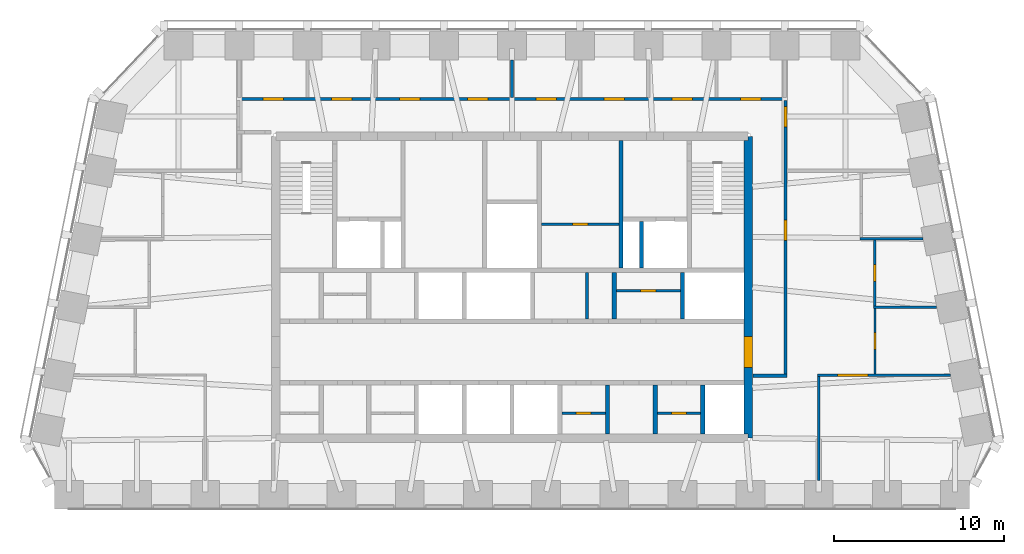
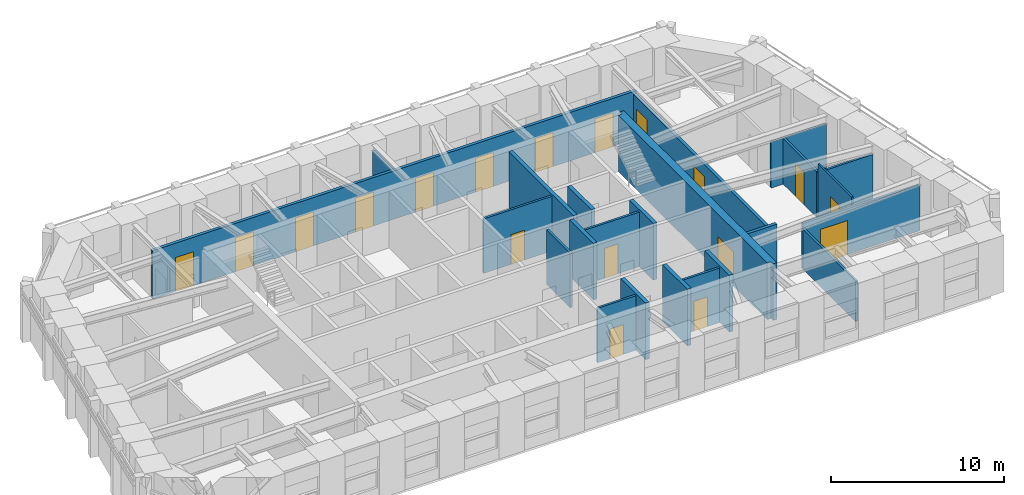
# One storey, part 6 of 9: 23 walls, 18 doors, 18 openings.
"""IFC4 building model written with IfcOpenShell, lengths in metres."""

from ifc_helpers import new_model, si_unit, direction, frame, frame_2d, origin, place, context, subcontext, project, spatial, polyline, rectangle, outline, extrude, material, layer, layer_set, type_object, element, fill, save


model = new_model("IFC4")

# Units and contexts
model_context = context("Model", 3, precision=1e-05, world=origin(), true_north=direction((0.0, 1.0)))
body_context = subcontext(model_context, "Body", "Model", "MODEL_VIEW")
ifc_project = project(units=[si_unit("LENGTHUNIT", "METRE"), si_unit("AREAUNIT", "SQUARE_METRE"), si_unit("VOLUMEUNIT", "CUBIC_METRE"), si_unit("PLANEANGLEUNIT", "RADIAN"), si_unit("MASSUNIT", "GRAM", prefix="KILO")], contexts=[model_context])

# Site, building, storey
site_placement = place(None, origin())
site = spatial("IfcSite", under=ifc_project, at=site_placement, CompositionType="ELEMENT")
building_placement = place(site_placement, origin())
building = spatial("IfcBuilding", under=site, at=building_placement, Name="Isbrekke Arena Tower", CompositionType="ELEMENT")
storey_placement = place(building_placement, frame((0.0, 0.0, 312.0)))
storey = spatial("IfcBuildingStorey", under=building, at=storey_placement, Name="L73", CompositionType="ELEMENT", Elevation=312.0)

# Wall, opening, door
ifc_material_1 = material(Name="Concrete B55 (C55/67)", Category="concrete")
ifc_layer_1 = layer(ifc_material_1, 0.5)
ifc_layer_set_1 = layer_set([ifc_layer_1], Name="CW5 CORE WALL 500")
wall_type_1 = type_object("IfcWallType", Name="CW5 CORE WALL 500", PredefinedType="SHEAR", material=ifc_layer_set_1)
wall_1_placement = place(storey_placement, frame((13.85009765625, 6.14990234375, 0.0), z_axis=(0.0, 0.0, 1.0), x_axis=(0.0, 1.0, 0.0)))
wall_1 = element("IfcWall", 1, at=wall_1_placement, inside=storey, type_object=wall_type_1, Name="Core wall E L73", PredefinedType="SHEAR", context=body_context, shape_type="SweptSolid", body=[
    extrude(outline(polyline([(0.0, -0.25), (17.7001953125, -0.25), (17.7001953125, 0.0), (17.4501953125, 0.0), (17.4501953125, 0.25), (0.25, 0.25), (0.25, 0.0), (0.0, 0.0), (0.0, -0.25)])), origin(), (0.0, 0.0, 1.0), 4.0),
])
opening_1_placement = place(wall_1_placement, frame((4.14990234375, 0.0, 0.0)))
opening_1 = element("IfcOpeningElement", 2, at=opening_1_placement, cuts=wall_1, Name="Opening D1", PredefinedType="OPENING", context=body_context, shape_type="SweptSolid", body=[
    extrude(rectangle(XDim=1.800048828125, YDim=2.39990234375, at=frame_2d((0.89990234375, 1.199951171875))), frame((0.0, 0.264892578125, 0.0), z_axis=(0.0, -1.0, 0.0), x_axis=(1.0, 0.0, 0.0)), (0.0, 0.0, 1.0), 0.52978515625),
])
ifc_material_2 = material(Name="Steel-framed glazed fire door", Category="steel")
door_type_1 = type_object("IfcDoorType", Name="D1 CORE LOBBY DOOR 1800 x 2400", OperationType="DOUBLE_DOOR_SINGLE_SWING", PredefinedType="DOOR", material=ifc_material_2)
door_1_placement = place(opening_1_placement, origin())
door_1 = element("IfcDoor", 3, at=door_1_placement, inside=storey, type_object=door_type_1, Name="D1 lift lobby door east L73", OperationType="DOUBLE_DOOR_SINGLE_SWING", OverallHeight=2.39990234375, OverallWidth=1.800048828125, PredefinedType="DOOR", context=body_context, shape_type="SweptSolid", body=[
    extrude(rectangle(XDim=1.800048828125, YDim=2.39990234375, at=frame_2d((0.89990234375, 1.199951171875))), frame((0.0, 0.249755859375, 0.0), z_axis=(0.0, -1.0, 0.0), x_axis=(1.0, 0.0, 0.0)), (0.0, 0.0, 1.0), 0.49951171875),
])
fill(opening_1, door_1)

# Walls
ifc_material_3 = material(Name="Concrete B45 (C45/55)", Category="concrete")
ifc_layer_2 = layer(ifc_material_3, 0.25)
ifc_layer_set_2 = layer_set([ifc_layer_2], Name="CW6 SHAFT WALL 250")
wall_type_2 = type_object("IfcWallType", Name="CW6 SHAFT WALL 250", PredefinedType="SHEAR", material=ifc_layer_set_2)
for number, where, z_axis, x_axis, name in (
    (4, (5.60009765625, 6.39990234375, 0.0), (0.0, 0.0, 1.0), (0.0, 1.0, 0.0), "Core wall SS07 L73"),
    (5, (8.39990234375, 6.39990234375, 0.0), (0.0, 0.0, 1.0), (0.0, 1.0, 0.0), "Core wall SS08 L73"),
    (6, (11.199951171875, 6.39990234375, 0.0), (0.0, 0.0, 1.0), (0.0, 1.0, 0.0), "Core wall SS09 L73"),
):
    element("IfcWall", number, at=place(storey_placement, frame(where, z_axis=z_axis, x_axis=x_axis)), inside=storey, type_object=wall_type_2, Name=name, PredefinedType="SHEAR", context=body_context, shape_type="SweptSolid", body=[
        extrude(rectangle(XDim=2.875, YDim=0.25, at=frame_2d((1.4375, 0.0))), origin(), (0.0, 0.0, 1.0), 4.0),
    ])
for number, where, z_axis, x_axis, name in (
    (7, (6.0, 13.125, 0.0), (0.0, 0.0, 1.0), (0.0, 1.0, 0.0), "Core wall SN06 L73"),
    (8, (10.0, 13.125, 0.0), (0.0, 0.0, 1.0), (0.0, 1.0, 0.0), "Core wall SN07 L73"),
):
    element("IfcWall", number, at=place(storey_placement, frame(where, z_axis=z_axis, x_axis=x_axis)), inside=storey, type_object=wall_type_2, Name=name, PredefinedType="SHEAR", context=body_context, shape_type="SweptSolid", body=[
        extrude(rectangle(XDim=2.75, YDim=0.25, at=frame_2d((1.375, 0.0))), origin(), (0.0, 0.0, 1.0), 4.0),
    ])
wall_2_placement = place(storey_placement, frame((6.39990234375, 16.125, 0.0), z_axis=(0.0, 0.0, 1.0), x_axis=(0.0, 1.0, 0.0)))
element("IfcWall", 9, at=wall_2_placement, inside=storey, type_object=wall_type_2, Name="Core wall NV05 L73", PredefinedType="SHEAR", context=body_context, shape_type="SweptSolid", body=[
    extrude(rectangle(XDim=7.47509765625, YDim=0.25, at=frame_2d((3.737548828125, 0.0))), origin(), (0.0, 0.0, 1.0), 4.0),
])
wall_3_placement = place(storey_placement, frame((7.60009765625, 16.125, 0.0), z_axis=(0.0, 0.0, 1.0), x_axis=(0.0, 1.0, 0.0)))
element("IfcWall", 10, at=wall_3_placement, inside=storey, type_object=wall_type_2, Name="Core wall NFS2 L73", PredefinedType="SHEAR", context=body_context, shape_type="SweptSolid", body=[
    extrude(rectangle(XDim=2.75, YDim=0.25, at=frame_2d((1.375, 0.0))), origin(), (0.0, 0.0, 1.0), 4.0),
])

# Wall, opening, door
ifc_material_4 = material(Name="Gypsum board partition on steel studs", Category="steel")
ifc_layer_3 = layer(ifc_material_4, 0.14990234375)
ifc_layer_set_3 = layer_set([ifc_layer_3], Name="IW1 PARTITION 150")
wall_type_3 = type_object("IfcWallType", Name="IW1 PARTITION 150", PredefinedType="PARTITIONING", material=ifc_layer_set_3)
wall_4_placement = place(storey_placement, frame((17.925048828125, 9.840087890625, 0.0), z_axis=(0.0, 0.0, 1.0), x_axis=(1.0, 0.0, 0.0)))
wall_4 = element("IfcWall", 11, at=wall_4_placement, inside=storey, type_object=wall_type_3, Name="IW1 partition 150 L73", PredefinedType="PARTITIONING", context=body_context, shape_type="SweptSolid", body=[
    extrude(rectangle(XDim=7.798828125, YDim=0.14990234375, at=frame_2d((3.8994140625, 0.0))), origin(), (0.0, 0.0, 1.0), 3.22998046875),
])
opening_2_placement = place(wall_4_placement, frame((1.175048828125, 0.0, 0.0)))
opening_2 = element("IfcOpeningElement", 12, at=opening_2_placement, cuts=wall_4, Name="Opening D13", PredefinedType="OPENING", context=body_context, shape_type="SweptSolid", body=[
    extrude(rectangle(XDim=1.800048828125, YDim=2.39990234375, at=frame_2d((0.89990234375, 1.199951171875))), frame((0.0, 0.08984375, 0.0), z_axis=(0.0, -1.0, 0.0), x_axis=(1.0, 0.0, 0.0)), (0.0, 0.0, 1.0), 0.1796875),
])
ifc_material_5 = material(Name="Timber door pair", Category="wood")
door_type_2 = type_object("IfcDoorType", Name="D13 DOUBLE ROOM DOOR 1800 x 2400", OperationType="DOUBLE_DOOR_SINGLE_SWING", PredefinedType="DOOR", material=ifc_material_5)
door_2_placement = place(opening_2_placement, origin())
door_2 = element("IfcDoor", 13, at=door_2_placement, inside=storey, type_object=door_type_2, Name="D13 chairman's office door L73", OperationType="DOUBLE_DOOR_SINGLE_SWING", OverallHeight=2.39990234375, OverallWidth=1.800048828125, PredefinedType="DOOR", context=body_context, shape_type="SweptSolid", body=[
    extrude(rectangle(XDim=1.800048828125, YDim=2.39990234375, at=frame_2d((0.89990234375, 1.199951171875))), frame((0.0, 0.07470703125, 0.0), z_axis=(0.0, -1.0, 0.0), x_axis=(1.0, 0.0, 0.0)), (0.0, 0.0, 1.0), 0.1494140625),
])
fill(opening_2, door_2)

# Walls
for number, where, z_axis, x_axis, name in (
    (14, (21.22509765625, 13.840087890625, 0.0), (0.0, 0.0, 1.0), (1.0, 0.0, 0.0), "IW1 partition 150 L73"),
    (15, (20.425048828125, 17.840087890625, 0.0), (0.0, 0.0, 1.0), (1.0, 0.0, 0.0), "IW1 partition 150 L73"),
):
    element("IfcWall", number, at=place(storey_placement, frame(where, z_axis=z_axis, x_axis=x_axis)), inside=storey, type_object=wall_type_3, Name=name, PredefinedType="PARTITIONING", context=body_context, shape_type="SweptSolid", body=[
        extrude(rectangle(XDim=3.69873046875, YDim=0.14990234375, at=frame_2d((1.849365234375, 0.0))), origin(), (0.0, 0.0, 1.0), 3.22998046875),
    ])
wall_5_placement = place(storey_placement, frame((18.0, 3.675048828125, 0.0), z_axis=(0.0, 0.0, 1.0), x_axis=(0.0, 1.0, 0.0)))
element("IfcWall", 16, at=wall_5_placement, inside=storey, type_object=wall_type_3, Name="IW1 partition 150 L73", PredefinedType="PARTITIONING", context=body_context, shape_type="SweptSolid", body=[
    extrude(rectangle(XDim=6.08984375, YDim=0.14990234375, at=frame_2d((3.044921875, 0.0))), origin(), (0.0, 0.0, 1.0), 2.842041015625),
])

# Wall, opening, door
wall_6_placement = place(storey_placement, frame((21.300048828125, 13.9150390625, 0.0), z_axis=(0.0, 0.0, 1.0), x_axis=(0.0, 1.0, 0.0)))
wall_6 = element("IfcWall", 17, at=wall_6_placement, inside=storey, type_object=wall_type_3, Name="IW1 partition 150 L73", PredefinedType="PARTITIONING", context=body_context, shape_type="SweptSolid", body=[
    extrude(rectangle(XDim=3.849853515625, YDim=0.14990234375, at=frame_2d((1.9248046875, 0.0))), origin(), (0.0, 0.0, 1.0), 3.22998046875),
])
opening_3_placement = place(wall_6_placement, frame((1.425048828125, 0.0, 0.0)))
opening_3 = element("IfcOpeningElement", 18, at=opening_3_placement, cuts=wall_6, Name="Opening D10", PredefinedType="OPENING", context=body_context, shape_type="SweptSolid", body=[
    extrude(rectangle(XDim=1.0, YDim=2.300048828125, at=frame_2d((0.5, 1.14990234375))), frame((0.0, 0.08984375, 0.0), z_axis=(0.0, -1.0, 0.0), x_axis=(1.0, 0.0, 0.0)), (0.0, 0.0, 1.0), 0.1796875),
])
ifc_material_6 = material(Name="Timber door", Category="wood")
door_type_3 = type_object("IfcDoorType", Name="D10 OFFICE DOOR 1000 x 2300", OperationType="SINGLE_SWING_LEFT", PredefinedType="DOOR", material=ifc_material_6)
door_3_placement = place(opening_3_placement, origin())
door_3 = element("IfcDoor", 19, at=door_3_placement, inside=storey, type_object=door_type_3, Name="D10 executive office door L73", OperationType="SINGLE_SWING_LEFT", OverallHeight=2.300048828125, OverallWidth=1.0, PredefinedType="DOOR", context=body_context, shape_type="SweptSolid", body=[
    extrude(rectangle(XDim=1.0, YDim=2.300048828125, at=frame_2d((0.5, 1.14990234375))), frame((0.0, 0.07470703125, 0.0), z_axis=(0.0, -1.0, 0.0), x_axis=(1.0, 0.0, 0.0)), (0.0, 0.0, 1.0), 0.1494140625),
])
fill(opening_3, door_3)

ifc_material_7 = material(Name="Frameless glazed partition, laminated acoustic glass", Category="glass")
ifc_layer_4 = layer(ifc_material_7, 0.1201171875)
ifc_layer_set_4 = layer_set([ifc_layer_4], Name="IW2 GLAZED PARTITION 120")
wall_type_4 = type_object("IfcWallType", Name="IW2 GLAZED PARTITION 120", PredefinedType="PARTITIONING", material=ifc_layer_set_4)
wall_7_placement = place(storey_placement, frame((21.300048828125, 9.9150390625, 0.0), z_axis=(0.0, 0.0, 1.0), x_axis=(0.0, 1.0, 0.0)))
wall_7 = element("IfcWall", 20, at=wall_7_placement, inside=storey, type_object=wall_type_4, Name="IW2 glazed partition 120 L73", PredefinedType="PARTITIONING", context=body_context, shape_type="SweptSolid", body=[
    extrude(rectangle(XDim=3.849853515625, YDim=0.1201171875, at=frame_2d((1.9248046875, 0.0))), origin(), (0.0, 0.0, 1.0), 3.85009765625),
])
opening_4_placement = place(wall_7_placement, frame((1.425048828125, 0.0, 0.0)))
opening_4 = element("IfcOpeningElement", 21, at=opening_4_placement, cuts=wall_7, Name="Opening D11", PredefinedType="OPENING", context=body_context, shape_type="SweptSolid", body=[
    extrude(rectangle(XDim=1.0, YDim=2.39990234375, at=frame_2d((0.5, 1.199951171875))), frame((0.0, 0.074951171875, 0.0), z_axis=(0.0, -1.0, 0.0), x_axis=(1.0, 0.0, 0.0)), (0.0, 0.0, 1.0), 0.14990234375),
])
ifc_material_8 = material(Name="Frameless glazed door", Category="glass")
door_type_4 = type_object("IfcDoorType", Name="D11 GLAZED MEETING ROOM DOOR 1000 x 2400", OperationType="SINGLE_SWING_RIGHT", PredefinedType="DOOR", material=ifc_material_8)
door_4_placement = place(opening_4_placement, origin())
door_4 = element("IfcDoor", 22, at=door_4_placement, inside=storey, type_object=door_type_4, Name="D11 meeting room door L73", OperationType="SINGLE_SWING_RIGHT", OverallHeight=2.39990234375, OverallWidth=1.0, PredefinedType="DOOR", context=body_context, shape_type="SweptSolid", body=[
    extrude(rectangle(XDim=1.0, YDim=2.39990234375, at=frame_2d((0.5, 1.199951171875))), frame((0.0, 0.059814453125, 0.0), z_axis=(0.0, -1.0, 0.0), x_axis=(1.0, 0.0, 0.0)), (0.0, 0.0, 1.0), 0.11962890625),
])
fill(opening_4, door_4)

# Wall
ifc_material_9 = material(Name="Gypsum board fire-cell wall on steel studs, two layers each side", Category="steel")
ifc_layer_5 = layer(ifc_material_9, 0.199951171875)
ifc_layer_set_5 = layer_set([ifc_layer_5], Name="IW3 FIRE-CELL WALL 200")
wall_type_5 = type_object("IfcWallType", Name="IW3 FIRE-CELL WALL 200", PredefinedType="PARTITIONING", material=ifc_layer_set_5)
wall_8_placement = place(storey_placement, frame((14.1298828125, 9.800048828125, 0.0), z_axis=(0.0, 0.0, 1.0), x_axis=(1.0, 0.0, 0.0)))
element("IfcWall", 23, at=wall_8_placement, inside=storey, type_object=wall_type_5, Name="IW3 fire-cell wall 200 L73", PredefinedType="PARTITIONING", context=body_context, shape_type="SweptSolid", body=[
    extrude(rectangle(XDim=2.02001953125, YDim=0.199951171875, at=frame_2d((1.010009765625, 0.0))), origin(), (0.0, 0.0, 1.0), 3.85009765625),
])

# Wall, openings, doors
wall_9_placement = place(storey_placement, frame((-16.14990234375, 26.050048828125, 0.0), z_axis=(0.0, 0.0, 1.0), x_axis=(1.0, 0.0, 0.0)))
wall_9 = element("IfcWall", 24, at=wall_9_placement, inside=storey, type_object=wall_type_5, Name="IW3 fire-cell wall 200 L73", PredefinedType="PARTITIONING", context=body_context, shape_type="SweptSolid", body=[
    extrude(rectangle(XDim=32.2998046875, YDim=0.199951171875, at=frame_2d((16.14990234375, 0.0))), origin(), (0.0, 0.0, 1.0), 3.41796875),
])
opening_5_placement = place(wall_9_placement, frame((1.550048828125, 0.0, 0.0)))
opening_5 = element("IfcOpeningElement", 25, at=opening_5_placement, cuts=wall_9, Name="Opening D12", PredefinedType="OPENING", context=body_context, shape_type="SweptSolid", body=[
    extrude(rectangle(XDim=1.199951171875, YDim=2.39990234375, at=frame_2d((0.60009765625, 1.199951171875))), frame((0.0, 0.11474609375, 0.0), z_axis=(0.0, -1.0, 0.0), x_axis=(1.0, 0.0, 0.0)), (0.0, 0.0, 1.0), 0.229736328125),
])
opening_6_placement = place(wall_9_placement, frame((5.550048828125, 0.0, 0.0)))
opening_6 = element("IfcOpeningElement", 26, at=opening_6_placement, cuts=wall_9, Name="Opening D12", PredefinedType="OPENING", context=body_context, shape_type="SweptSolid", body=[
    extrude(rectangle(XDim=1.199951171875, YDim=2.39990234375, at=frame_2d((0.60009765625, 1.199951171875))), frame((0.0, 0.11474609375, 0.0), z_axis=(0.0, -1.0, 0.0), x_axis=(1.0, 0.0, 0.0)), (0.0, 0.0, 1.0), 0.229736328125),
])
opening_7_placement = place(wall_9_placement, frame((9.550048828125, 0.0, 0.0)))
opening_7 = element("IfcOpeningElement", 27, at=opening_7_placement, cuts=wall_9, Name="Opening D12", PredefinedType="OPENING", context=body_context, shape_type="SweptSolid", body=[
    extrude(rectangle(XDim=1.199951171875, YDim=2.39990234375, at=frame_2d((0.60009765625, 1.199951171875))), frame((0.0, 0.11474609375, 0.0), z_axis=(0.0, -1.0, 0.0), x_axis=(1.0, 0.0, 0.0)), (0.0, 0.0, 1.0), 0.229736328125),
])
opening_8_placement = place(wall_9_placement, frame((13.550048828125, 0.0, 0.0)))
opening_8 = element("IfcOpeningElement", 28, at=opening_8_placement, cuts=wall_9, Name="Opening D12", PredefinedType="OPENING", context=body_context, shape_type="SweptSolid", body=[
    extrude(rectangle(XDim=1.199951171875, YDim=2.39990234375, at=frame_2d((0.60009765625, 1.199951171875))), frame((0.0, 0.11474609375, 0.0), z_axis=(0.0, -1.0, 0.0), x_axis=(1.0, 0.0, 0.0)), (0.0, 0.0, 1.0), 0.229736328125),
])
opening_9_placement = place(wall_9_placement, frame((17.550048828125, 0.0, 0.0)))
opening_9 = element("IfcOpeningElement", 29, at=opening_9_placement, cuts=wall_9, Name="Opening D12", PredefinedType="OPENING", context=body_context, shape_type="SweptSolid", body=[
    extrude(rectangle(XDim=1.199951171875, YDim=2.39990234375, at=frame_2d((0.60009765625, 1.199951171875))), frame((0.0, 0.11474609375, 0.0), z_axis=(0.0, -1.0, 0.0), x_axis=(1.0, 0.0, 0.0)), (0.0, 0.0, 1.0), 0.229736328125),
])
opening_10_placement = place(wall_9_placement, frame((21.550048828125, 0.0, 0.0)))
opening_10 = element("IfcOpeningElement", 30, at=opening_10_placement, cuts=wall_9, Name="Opening D12", PredefinedType="OPENING", context=body_context, shape_type="SweptSolid", body=[
    extrude(rectangle(XDim=1.199951171875, YDim=2.39990234375, at=frame_2d((0.60009765625, 1.199951171875))), frame((0.0, 0.11474609375, 0.0), z_axis=(0.0, -1.0, 0.0), x_axis=(1.0, 0.0, 0.0)), (0.0, 0.0, 1.0), 0.229736328125),
])
opening_11_placement = place(wall_9_placement, frame((25.550048828125, 0.0, 0.0)))
opening_11 = element("IfcOpeningElement", 31, at=opening_11_placement, cuts=wall_9, Name="Opening D12", PredefinedType="OPENING", context=body_context, shape_type="SweptSolid", body=[
    extrude(rectangle(XDim=1.199951171875, YDim=2.39990234375, at=frame_2d((0.60009765625, 1.199951171875))), frame((0.0, 0.11474609375, 0.0), z_axis=(0.0, -1.0, 0.0), x_axis=(1.0, 0.0, 0.0)), (0.0, 0.0, 1.0), 0.229736328125),
])
opening_12_placement = place(wall_9_placement, frame((29.550048828125, 0.0, 0.0)))
opening_12 = element("IfcOpeningElement", 32, at=opening_12_placement, cuts=wall_9, Name="Opening D12", PredefinedType="OPENING", context=body_context, shape_type="SweptSolid", body=[
    extrude(rectangle(XDim=1.199951171875, YDim=2.39990234375, at=frame_2d((0.60009765625, 1.199951171875))), frame((0.0, 0.11474609375, 0.0), z_axis=(0.0, -1.0, 0.0), x_axis=(1.0, 0.0, 0.0)), (0.0, 0.0, 1.0), 0.229736328125),
])
ifc_material_10 = material(Name="Timber fire door with vision panel", Category="wood")
door_type_5 = type_object("IfcDoorType", Name="D12 SUITE ENTRANCE DOOR 1200 x 2400", OperationType="SINGLE_SWING_LEFT", PredefinedType="DOOR", material=ifc_material_10)
door_5_placement = place(opening_5_placement, origin())
door_5 = element("IfcDoor", 33, at=door_5_placement, inside=storey, type_object=door_type_5, Name="D12 suite entrance NB1 door L73", OperationType="SINGLE_SWING_LEFT", OverallHeight=2.39990234375, OverallWidth=1.199951171875, PredefinedType="DOOR", context=body_context, shape_type="SweptSolid", body=[
    extrude(rectangle(XDim=1.199951171875, YDim=2.39990234375, at=frame_2d((0.60009765625, 1.199951171875))), frame((0.0, 0.099609375, 0.0), z_axis=(0.0, -1.0, 0.0), x_axis=(1.0, 0.0, 0.0)), (0.0, 0.0, 1.0), 0.199462890625),
])
fill(opening_5, door_5)
door_6_placement = place(opening_6_placement, origin())
door_6 = element("IfcDoor", 34, at=door_6_placement, inside=storey, type_object=door_type_5, Name="D12 suite entrance NB2 door L73", OperationType="SINGLE_SWING_LEFT", OverallHeight=2.39990234375, OverallWidth=1.199951171875, PredefinedType="DOOR", context=body_context, shape_type="SweptSolid", body=[
    extrude(rectangle(XDim=1.199951171875, YDim=2.39990234375, at=frame_2d((0.60009765625, 1.199951171875))), frame((0.0, 0.099609375, 0.0), z_axis=(0.0, -1.0, 0.0), x_axis=(1.0, 0.0, 0.0)), (0.0, 0.0, 1.0), 0.199462890625),
])
fill(opening_6, door_6)
door_7_placement = place(opening_7_placement, origin())
door_7 = element("IfcDoor", 35, at=door_7_placement, inside=storey, type_object=door_type_5, Name="D12 suite entrance NB3 door L73", OperationType="SINGLE_SWING_LEFT", OverallHeight=2.39990234375, OverallWidth=1.199951171875, PredefinedType="DOOR", context=body_context, shape_type="SweptSolid", body=[
    extrude(rectangle(XDim=1.199951171875, YDim=2.39990234375, at=frame_2d((0.60009765625, 1.199951171875))), frame((0.0, 0.099609375, 0.0), z_axis=(0.0, -1.0, 0.0), x_axis=(1.0, 0.0, 0.0)), (0.0, 0.0, 1.0), 0.199462890625),
])
fill(opening_7, door_7)
door_8_placement = place(opening_8_placement, origin())
door_8 = element("IfcDoor", 36, at=door_8_placement, inside=storey, type_object=door_type_5, Name="D12 suite entrance NB4 door L73", OperationType="SINGLE_SWING_LEFT", OverallHeight=2.39990234375, OverallWidth=1.199951171875, PredefinedType="DOOR", context=body_context, shape_type="SweptSolid", body=[
    extrude(rectangle(XDim=1.199951171875, YDim=2.39990234375, at=frame_2d((0.60009765625, 1.199951171875))), frame((0.0, 0.099609375, 0.0), z_axis=(0.0, -1.0, 0.0), x_axis=(1.0, 0.0, 0.0)), (0.0, 0.0, 1.0), 0.199462890625),
])
fill(opening_8, door_8)
door_9_placement = place(opening_9_placement, origin())
door_9 = element("IfcDoor", 37, at=door_9_placement, inside=storey, type_object=door_type_5, Name="D12 suite entrance NB5 door L73", OperationType="SINGLE_SWING_LEFT", OverallHeight=2.39990234375, OverallWidth=1.199951171875, PredefinedType="DOOR", context=body_context, shape_type="SweptSolid", body=[
    extrude(rectangle(XDim=1.199951171875, YDim=2.39990234375, at=frame_2d((0.60009765625, 1.199951171875))), frame((0.0, 0.099609375, 0.0), z_axis=(0.0, -1.0, 0.0), x_axis=(1.0, 0.0, 0.0)), (0.0, 0.0, 1.0), 0.199462890625),
])
fill(opening_9, door_9)
door_10_placement = place(opening_10_placement, origin())
door_10 = element("IfcDoor", 38, at=door_10_placement, inside=storey, type_object=door_type_5, Name="D12 suite entrance NB6 door L73", OperationType="SINGLE_SWING_LEFT", OverallHeight=2.39990234375, OverallWidth=1.199951171875, PredefinedType="DOOR", context=body_context, shape_type="SweptSolid", body=[
    extrude(rectangle(XDim=1.199951171875, YDim=2.39990234375, at=frame_2d((0.60009765625, 1.199951171875))), frame((0.0, 0.099609375, 0.0), z_axis=(0.0, -1.0, 0.0), x_axis=(1.0, 0.0, 0.0)), (0.0, 0.0, 1.0), 0.199462890625),
])
fill(opening_10, door_10)
door_11_placement = place(opening_11_placement, origin())
door_11 = element("IfcDoor", 39, at=door_11_placement, inside=storey, type_object=door_type_5, Name="D12 suite entrance NB7 door L73", OperationType="SINGLE_SWING_LEFT", OverallHeight=2.39990234375, OverallWidth=1.199951171875, PredefinedType="DOOR", context=body_context, shape_type="SweptSolid", body=[
    extrude(rectangle(XDim=1.199951171875, YDim=2.39990234375, at=frame_2d((0.60009765625, 1.199951171875))), frame((0.0, 0.099609375, 0.0), z_axis=(0.0, -1.0, 0.0), x_axis=(1.0, 0.0, 0.0)), (0.0, 0.0, 1.0), 0.199462890625),
])
fill(opening_11, door_11)
door_12_placement = place(opening_12_placement, origin())
door_12 = element("IfcDoor", 40, at=door_12_placement, inside=storey, type_object=door_type_5, Name="D12 suite entrance NB8 door L73", OperationType="SINGLE_SWING_LEFT", OverallHeight=2.39990234375, OverallWidth=1.199951171875, PredefinedType="DOOR", context=body_context, shape_type="SweptSolid", body=[
    extrude(rectangle(XDim=1.199951171875, YDim=2.39990234375, at=frame_2d((0.60009765625, 1.199951171875))), frame((0.0, 0.099609375, 0.0), z_axis=(0.0, -1.0, 0.0), x_axis=(1.0, 0.0, 0.0)), (0.0, 0.0, 1.0), 0.199462890625),
])
fill(opening_12, door_12)

# Wall
wall_10_placement = place(storey_placement, frame((0.0, 26.14990234375, 0.0), z_axis=(0.0, 0.0, 1.0), x_axis=(0.0, 1.0, 0.0)))
element("IfcWall", 41, at=wall_10_placement, inside=storey, type_object=wall_type_5, Name="IW3 fire-cell wall 200 L73", PredefinedType="PARTITIONING", context=body_context, shape_type="SweptSolid", body=[
    extrude(rectangle(XDim=2.175048828125, YDim=0.199951171875, at=frame_2d((1.08740234375, 0.0))), origin(), (0.0, 0.0, 1.0), 3.41796875),
])

# Wall, openings, doors
wall_11_placement = place(storey_placement, frame((16.050048828125, 9.89990234375, 0.0), z_axis=(0.0, 0.0, 1.0), x_axis=(0.0, 1.0, 0.0)))
wall_11 = element("IfcWall", 42, at=wall_11_placement, inside=storey, type_object=wall_type_5, Name="IW3 fire-cell wall 200 L73", PredefinedType="PARTITIONING", context=body_context, shape_type="SweptSolid", body=[
    extrude(rectangle(XDim=16.050048828125, YDim=0.199951171875, at=frame_2d((8.02490234375, 0.0))), origin(), (0.0, 0.0, 1.0), 3.22998046875),
])
opening_13_placement = place(wall_11_placement, frame((14.5, 0.0, 0.0)))
opening_13 = element("IfcOpeningElement", 43, at=opening_13_placement, cuts=wall_11, Name="Opening D12", PredefinedType="OPENING", context=body_context, shape_type="SweptSolid", body=[
    extrude(rectangle(XDim=1.199951171875, YDim=2.39990234375, at=frame_2d((0.60009765625, 1.199951171875))), frame((0.0, 0.11474609375, 0.0), z_axis=(0.0, -1.0, 0.0), x_axis=(1.0, 0.0, 0.0)), (0.0, 0.0, 1.0), 0.229736328125),
])
opening_14_placement = place(wall_11_placement, frame((7.85009765625, 0.0, 0.0)))
opening_14 = element("IfcOpeningElement", 44, at=opening_14_placement, cuts=wall_11, Name="Opening D12", PredefinedType="OPENING", context=body_context, shape_type="SweptSolid", body=[
    extrude(rectangle(XDim=1.199951171875, YDim=2.39990234375, at=frame_2d((0.60009765625, 1.199951171875))), frame((0.0, 0.11474609375, 0.0), z_axis=(0.0, -1.0, 0.0), x_axis=(1.0, 0.0, 0.0)), (0.0, 0.0, 1.0), 0.229736328125),
])
door_13_placement = place(opening_13_placement, origin())
door_13 = element("IfcDoor", 45, at=door_13_placement, inside=storey, type_object=door_type_5, Name="D12 suite entrance NCE door L73", OperationType="SINGLE_SWING_LEFT", OverallHeight=2.39990234375, OverallWidth=1.199951171875, PredefinedType="DOOR", context=body_context, shape_type="SweptSolid", body=[
    extrude(rectangle(XDim=1.199951171875, YDim=2.39990234375, at=frame_2d((0.60009765625, 1.199951171875))), frame((0.0, 0.099609375, 0.0), z_axis=(0.0, -1.0, 0.0), x_axis=(1.0, 0.0, 0.0)), (0.0, 0.0, 1.0), 0.199462890625),
])
fill(opening_13, door_13)
door_14_placement = place(opening_14_placement, frame((1.199951171875, 0.0, 0.0), z_axis=(0.0, 0.0, 1.0), x_axis=(-1.0, 0.0, 0.0)))
door_14 = element("IfcDoor", 46, at=door_14_placement, inside=storey, type_object=door_type_5, Name="D12 suite entrance E door L73", OperationType="SINGLE_SWING_LEFT", OverallHeight=2.39990234375, OverallWidth=1.199951171875, PredefinedType="DOOR", context=body_context, shape_type="SweptSolid", body=[
    extrude(rectangle(XDim=1.199951171875, YDim=2.39990234375, at=frame_2d((0.60009765625, 1.199951171875))), frame((0.0, 0.099609375, 0.0), z_axis=(0.0, -1.0, 0.0), x_axis=(1.0, 0.0, 0.0)), (0.0, 0.0, 1.0), 0.199462890625),
])
fill(opening_14, door_14)

# Wall, opening, door
ifc_material_11 = material(Name="Gypsum board fire-rated partition on steel studs, two layers each side", Category="steel")
ifc_layer_6 = layer(ifc_material_11, 0.14990234375)
ifc_layer_set_6 = layer_set([ifc_layer_6], Name="IW5 FIRE-RATED PARTITION 150")
wall_type_6 = type_object("IfcWallType", Name="IW5 FIRE-RATED PARTITION 150", PredefinedType="PARTITIONING", material=ifc_layer_set_6)
wall_12_placement = place(storey_placement, frame((1.72509765625, 18.699951171875, 0.0), z_axis=(0.0, 0.0, 1.0), x_axis=(1.0, 0.0, 0.0)))
wall_12 = element("IfcWall", 47, at=wall_12_placement, inside=storey, type_object=wall_type_6, Name="IW5 fire-rated partition L73 cleaner's store M", PredefinedType="PARTITIONING", context=body_context, shape_type="SweptSolid", body=[
    extrude(rectangle(XDim=4.5498046875, YDim=0.14990234375, at=frame_2d((2.27490234375, 0.0))), origin(), (0.0, 0.0, 1.0), 3.85009765625),
])
opening_15_placement = place(wall_12_placement, frame((1.824951171875, 0.0, 0.0)))
opening_15 = element("IfcOpeningElement", 48, at=opening_15_placement, cuts=wall_12, Name="Opening D5", PredefinedType="OPENING", context=body_context, shape_type="SweptSolid", body=[
    extrude(rectangle(XDim=0.89990234375, YDim=2.10009765625, at=frame_2d((0.449951171875, 1.050048828125))), frame((0.0, 0.08984375, 0.0), z_axis=(0.0, -1.0, 0.0), x_axis=(1.0, 0.0, 0.0)), (0.0, 0.0, 1.0), 0.1796875),
])
ifc_material_12 = material(Name="Steel fire door", Category="steel")
door_type_6 = type_object("IfcDoorType", Name="D5 SERVICE DOOR 900 x 2100", OperationType="SINGLE_SWING_LEFT", PredefinedType="DOOR", material=ifc_material_12)
door_15_placement = place(opening_15_placement, origin())
door_15 = element("IfcDoor", 49, at=door_15_placement, inside=storey, type_object=door_type_6, Name="D5 cleaner's store door L73", OperationType="SINGLE_SWING_LEFT", OverallHeight=2.10009765625, OverallWidth=0.89990234375, PredefinedType="DOOR", context=body_context, shape_type="SweptSolid", body=[
    extrude(rectangle(XDim=0.89990234375, YDim=2.10009765625, at=frame_2d((0.449951171875, 1.050048828125))), frame((0.0, 0.07470703125, 0.0), z_axis=(0.0, -1.0, 0.0), x_axis=(1.0, 0.0, 0.0)), (0.0, 0.0, 1.0), 0.1494140625),
])
fill(opening_15, door_15)

# Wall
wall_13_placement = place(storey_placement, frame((4.39990234375, 13.125, 0.0), z_axis=(0.0, 0.0, 1.0), x_axis=(0.0, 1.0, 0.0)))
element("IfcWall", 50, at=wall_13_placement, inside=storey, type_object=wall_type_6, Name="IW5 fire-rated partition L73 core service rooms 1", PredefinedType="PARTITIONING", context=body_context, shape_type="SweptSolid", body=[
    extrude(rectangle(XDim=2.75, YDim=0.14990234375, at=frame_2d((1.375, 0.0))), origin(), (0.0, 0.0, 1.0), 3.85009765625),
])

# Wall, opening, door
wall_14_placement = place(storey_placement, frame((6.125, 14.800048828125, 0.0), z_axis=(0.0, 0.0, 1.0), x_axis=(1.0, 0.0, 0.0)))
wall_14 = element("IfcWall", 51, at=wall_14_placement, inside=storey, type_object=wall_type_6, Name="IW5 fire-rated partition L73 core service rooms 2", PredefinedType="PARTITIONING", context=body_context, shape_type="SweptSolid", body=[
    extrude(rectangle(XDim=3.75, YDim=0.14990234375, at=frame_2d((1.875, 0.0))), origin(), (0.0, 0.0, 1.0), 3.85009765625),
])
opening_16_placement = place(wall_14_placement, frame((1.425048828125, 0.0, 0.0)))
opening_16 = element("IfcOpeningElement", 52, at=opening_16_placement, cuts=wall_14, Name="Opening D5", PredefinedType="OPENING", context=body_context, shape_type="SweptSolid", body=[
    extrude(rectangle(XDim=0.89990234375, YDim=2.10009765625, at=frame_2d((0.449951171875, 1.050048828125))), frame((0.0, 0.08984375, 0.0), z_axis=(0.0, -1.0, 0.0), x_axis=(1.0, 0.0, 0.0)), (0.0, 0.0, 1.0), 0.1796875),
])
door_16_placement = place(opening_16_placement, origin())
door_16 = element("IfcDoor", 53, at=door_16_placement, inside=storey, type_object=door_type_6, Name="D5 technical room door L73", OperationType="SINGLE_SWING_LEFT", OverallHeight=2.10009765625, OverallWidth=0.89990234375, PredefinedType="DOOR", context=body_context, shape_type="SweptSolid", body=[
    extrude(rectangle(XDim=0.89990234375, YDim=2.10009765625, at=frame_2d((0.449951171875, 1.050048828125))), frame((0.0, 0.07470703125, 0.0), z_axis=(0.0, -1.0, 0.0), x_axis=(1.0, 0.0, 0.0)), (0.0, 0.0, 1.0), 0.1494140625),
])
fill(opening_16, door_16)

wall_15_placement = place(storey_placement, frame((2.925048828125, 7.60009765625, 0.0), z_axis=(0.0, 0.0, 1.0), x_axis=(1.0, 0.0, 0.0)))
wall_15 = element("IfcWall", 54, at=wall_15_placement, inside=storey, type_object=wall_type_6, Name="IW5 fire-rated partition L73 core service rooms 6", PredefinedType="PARTITIONING", context=body_context, shape_type="SweptSolid", body=[
    extrude(rectangle(XDim=2.550048828125, YDim=0.14990234375, at=frame_2d((1.27490234375, 0.0))), origin(), (0.0, 0.0, 1.0), 3.85009765625),
])
opening_17_placement = place(wall_15_placement, frame((0.824951171875, 0.0, 0.0)))
opening_17 = element("IfcOpeningElement", 55, at=opening_17_placement, cuts=wall_15, Name="Opening D5", PredefinedType="OPENING", context=body_context, shape_type="SweptSolid", body=[
    extrude(rectangle(XDim=0.89990234375, YDim=2.10009765625, at=frame_2d((0.449951171875, 1.050048828125))), frame((0.0, 0.08984375, 0.0), z_axis=(0.0, -1.0, 0.0), x_axis=(1.0, 0.0, 0.0)), (0.0, 0.0, 1.0), 0.1796875),
])
door_17_placement = place(opening_17_placement, origin())
door_17 = element("IfcDoor", 56, at=door_17_placement, inside=storey, type_object=door_type_6, Name="D5 archive door L73", OperationType="SINGLE_SWING_LEFT", OverallHeight=2.10009765625, OverallWidth=0.89990234375, PredefinedType="DOOR", context=body_context, shape_type="SweptSolid", body=[
    extrude(rectangle(XDim=0.89990234375, YDim=2.10009765625, at=frame_2d((0.449951171875, 1.050048828125))), frame((0.0, 0.07470703125, 0.0), z_axis=(0.0, -1.0, 0.0), x_axis=(1.0, 0.0, 0.0)), (0.0, 0.0, 1.0), 0.1494140625),
])
fill(opening_17, door_17)

wall_16_placement = place(storey_placement, frame((8.52490234375, 7.60009765625, 0.0), z_axis=(0.0, 0.0, 1.0), x_axis=(1.0, 0.0, 0.0)))
wall_16 = element("IfcWall", 57, at=wall_16_placement, inside=storey, type_object=wall_type_6, Name="IW5 fire-rated partition L73 core service rooms 7", PredefinedType="PARTITIONING", context=body_context, shape_type="SweptSolid", body=[
    extrude(rectangle(XDim=2.550048828125, YDim=0.14990234375, at=frame_2d((1.27490234375, 0.0))), origin(), (0.0, 0.0, 1.0), 3.85009765625),
])
opening_18_placement = place(wall_16_placement, frame((0.824951171875, 0.0, 0.0)))
opening_18 = element("IfcOpeningElement", 58, at=opening_18_placement, cuts=wall_16, Name="Opening D5", PredefinedType="OPENING", context=body_context, shape_type="SweptSolid", body=[
    extrude(rectangle(XDim=0.89990234375, YDim=2.10009765625, at=frame_2d((0.449951171875, 1.050048828125))), frame((0.0, 0.08984375, 0.0), z_axis=(0.0, -1.0, 0.0), x_axis=(1.0, 0.0, 0.0)), (0.0, 0.0, 1.0), 0.1796875),
])
door_18_placement = place(opening_18_placement, origin())
door_18 = element("IfcDoor", 59, at=door_18_placement, inside=storey, type_object=door_type_6, Name="D5 tenant store door L73", OperationType="SINGLE_SWING_LEFT", OverallHeight=2.10009765625, OverallWidth=0.89990234375, PredefinedType="DOOR", context=body_context, shape_type="SweptSolid", body=[
    extrude(rectangle(XDim=0.89990234375, YDim=2.10009765625, at=frame_2d((0.449951171875, 1.050048828125))), frame((0.0, 0.07470703125, 0.0), z_axis=(0.0, -1.0, 0.0), x_axis=(1.0, 0.0, 0.0)), (0.0, 0.0, 1.0), 0.1494140625),
])
fill(opening_18, door_18)

save(model, "model.ifc")
